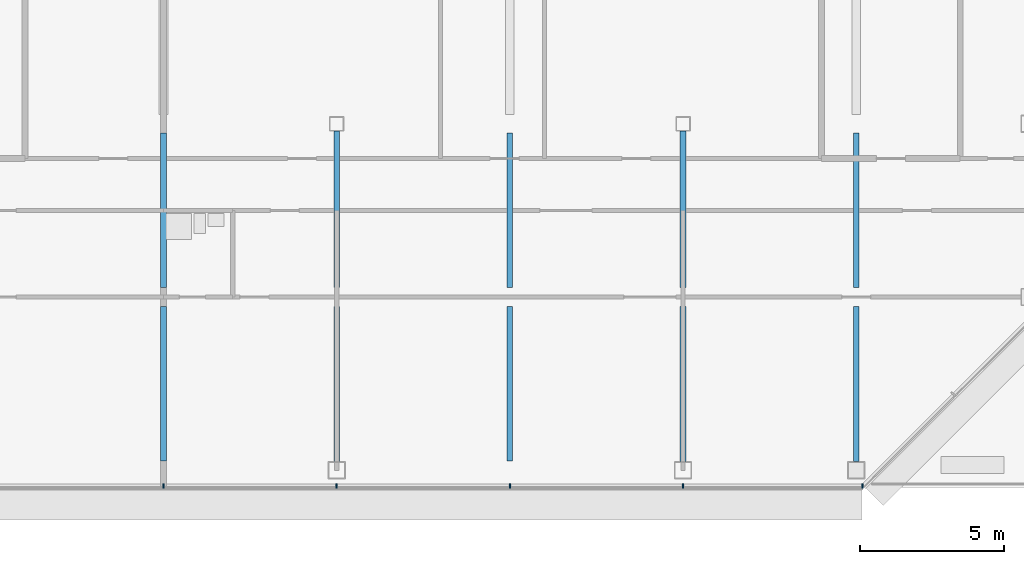
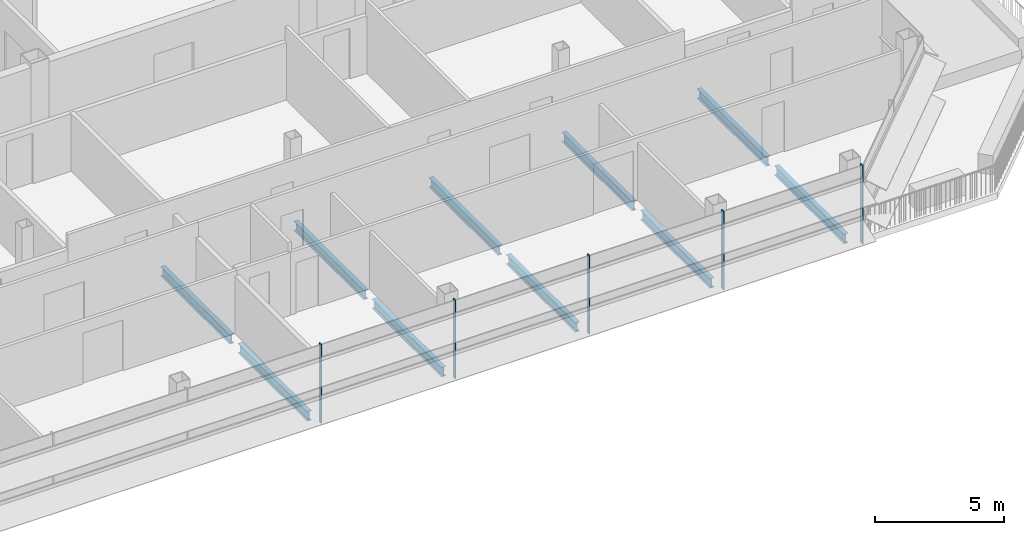
# One storey, part 9 of 28: 10 beams, 5 members, 1 element without a shape of its own.
"""IFC4 building model written with IfcOpenShell, lengths in metres."""

import ifcopenshell
import ifcopenshell.guid

model = None  # the IFC model being written
_history = None  # IfcOwnerHistory: only IFC2X3 demands one
_inside = {}  # id of a spatial element -> (the spatial element, [elements in it])
_under = {}  # id of a project, library or spatial element -> (it, [spatial elements below it])
_declared = {}  # id of a project -> (the project, [libraries it declares])
_typed = {}  # id of a type object -> (the type object, [elements of that type])
_made_of = {}  # id of a material, layer set ... -> (it, [elements and type objects made of it])


def new_model(schema):
    """Start an empty IFC model of exactly this schema.

    Asked for "IFC4X3", IfcOpenShell would pick the latest addendum, in which some entities
    have other attributes; the version numbers below select the first issue.
    IFC2X3 requires an IfcOwnerHistory on every rooted entity: one is made here for all.
    """
    global model, _history
    if schema == "IFC4X3":
        model = ifcopenshell.file(schema_version=(4, 3, 0, 0))
    else:
        model = ifcopenshell.file(schema=schema)
    _inside.clear()
    _under.clear()
    _declared.clear()
    _typed.clear()
    _made_of.clear()
    _history = None
    if model.schema == "IFC2X3":
        org = make("IfcOrganization", Name="unknown")
        user = make(
            "IfcPersonAndOrganization",
            ThePerson=make("IfcPerson", FamilyName="unknown"),
            TheOrganization=org,
        )
        app = make(
            "IfcApplication",
            ApplicationDeveloper=org,
            Version="unknown",
            ApplicationFullName="unknown",
            ApplicationIdentifier="unknown",
        )
        _history = make(
            "IfcOwnerHistory",
            OwningUser=user,
            OwningApplication=app,
            ChangeAction="ADDED",
            CreationDate=0,
        )
    return model


def make(cls, **values):
    """One entity of the class cls with the attributes given. An attribute that is None is left unset."""
    return model.create_entity(
        cls, **{name: value for name, value in values.items() if value is not None}
    )


def rooted(cls, **values):
    """An entity with a GlobalId (a new one), such as an element, a storey or a relation."""
    return make(cls, GlobalId=ifcopenshell.guid.new(), OwnerHistory=_history, **values)


def si_unit(unit_type, name, prefix=None):
    """IfcSIUnit, for example si_unit("LENGTHUNIT", "METRE", prefix="MILLI")."""
    return make("IfcSIUnit", UnitType=unit_type, Prefix=prefix, Name=name)


def assignment(units):
    """IfcUnitAssignment: the units of a project."""
    return None if units is None else make("IfcUnitAssignment", Units=units)


def point(xyz):
    """IfcCartesianPoint."""
    return None if xyz is None else make("IfcCartesianPoint", Coordinates=xyz)


def direction(xyz):
    """IfcDirection."""
    return None if xyz is None else make("IfcDirection", DirectionRatios=xyz)


def frame(location, z_axis=None, x_axis=None):
    """IfcAxis2Placement3D, a coordinate frame: its origin and axes. An axis left out is left unset."""
    return make(
        "IfcAxis2Placement3D",
        Location=point(location),
        Axis=direction(z_axis),
        RefDirection=direction(x_axis),
    )


def frame_2d(location, x_axis=None):
    """IfcAxis2Placement2D, a coordinate frame in the plane: its origin and x axis."""
    return make(
        "IfcAxis2Placement2D", Location=point(location), RefDirection=direction(x_axis)
    )


def origin():
    """The frame at (0, 0, 0) with its axes left unset."""
    return frame((0.0, 0.0, 0.0))


def origin_2d():
    """The frame at (0, 0) in the plane with its x axis left unset."""
    return frame_2d((0.0, 0.0))


def place(relative_to, where):
    """IfcLocalPlacement: puts the frame where relative to a parent placement (None: the world)."""
    return make(
        "IfcLocalPlacement", PlacementRelTo=relative_to, RelativePlacement=where
    )


def context(
    kind, dimensions, precision=None, world=None, true_north=None, identifier=None
):
    """IfcGeometricRepresentationContext, for example the 3D "Model" context."""
    return make(
        "IfcGeometricRepresentationContext",
        ContextIdentifier=identifier,
        ContextType=kind,
        CoordinateSpaceDimension=dimensions,
        Precision=precision,
        WorldCoordinateSystem=world,
        TrueNorth=true_north,
    )


def subcontext(parent, identifier, kind, view, scale=None):
    """IfcGeometricRepresentationSubContext, for example "Body" below "Model"."""
    return make(
        "IfcGeometricRepresentationSubContext",
        ContextIdentifier=identifier,
        ContextType=kind,
        ParentContext=parent,
        TargetScale=scale,
        TargetView=view,
    )


def project(units=None, contexts=None):
    """IfcProject with its units and contexts."""
    return rooted(
        "IfcProject",
        Name="project",
        RepresentationContexts=contexts,
        UnitsInContext=assignment(units),
    )


def spatial(cls, under=None, at=None, **own):
    """A site, building, storey or space (cls), placed at a placement, below another one or the project."""
    s = rooted(cls, ObjectPlacement=at, **own)
    if under is not None:
        _under.setdefault(under.id(), (under, []))[1].append(s)
    return s


def profile(cls, at=None, kind="AREA", **sizes):
    """A parametric profile (cls). Its sizes go by their IFC names, for example OverallWidth=200.0."""
    return make(cls, ProfileType=kind, Position=at, **sizes)


def rectangle(**sizes):
    """IfcRectangleProfileDef."""
    return profile("IfcRectangleProfileDef", **sizes)


def i_section(**sizes):
    """IfcIShapeProfileDef."""
    return profile("IfcIShapeProfileDef", **sizes)


def extrude(swept, where, along, depth):
    """IfcExtrudedAreaSolid: the profile swept, set in the frame where, extruded along a direction by depth."""
    return make(
        "IfcExtrudedAreaSolid",
        SweptArea=swept,
        Position=where,
        ExtrudedDirection=direction(along),
        Depth=depth,
    )


def shape(context_of_items, identifier, shape_type, items):
    """IfcShapeRepresentation: the items that make up one representation, for example the "Body"."""
    return make(
        "IfcShapeRepresentation",
        ContextOfItems=context_of_items,
        RepresentationIdentifier=identifier,
        RepresentationType=shape_type,
        Items=items,
    )


def material(Name=None, Category=None):
    """IfcMaterial."""
    return make("IfcMaterial", Name=Name, Category=Category)


def material_profile(
    of_material, cross_section, Name=None, Category=None, Priority=None
):
    """IfcMaterialProfile: a cross section and its material."""
    return make(
        "IfcMaterialProfile",
        Name=Name,
        Material=of_material,
        Profile=cross_section,
        Priority=Priority,
        Category=Category,
    )


def profile_set(profiles, Name=None, composite=None):
    """IfcMaterialProfileSet."""
    return make(
        "IfcMaterialProfileSet",
        Name=Name,
        MaterialProfiles=profiles,
        CompositeProfile=composite,
    )


def made_of(thing, what):
    """Note that an element or type object is made of a material, layer set ...; save() writes the relation."""
    if what is not None:
        _made_of.setdefault(what.id(), (what, []))[1].append(thing)
    return thing


def type_object(cls, material=None, **own):
    """A type object (cls), such as IfcWallType, which elements share."""
    return made_of(rooted(cls, **own), material)


def element(
    cls,
    number,
    at=None,
    inside=None,
    cuts=None,
    type_object=None,
    material=None,
    context=None,
    identifier="Body",
    shape_type=None,
    held_by="IfcProductDefinitionShape",
    body=None,
    shapes=None,
    **own,
):
    """One element of the class cls, such as IfcWall. Its Tag is "e" and its number.

    at: its placement. inside: the storey or other place that contains it. cuts: it is an
    opening in that element (IfcRelVoidsElement). A single representation is given by context,
    identifier, shape_type and body (its items); several are given by shapes. held_by: the class
    of the entity that holds the representations. save() writes the other relations.
    """
    e = rooted(cls, Tag="e%d" % number, ObjectPlacement=at, **own)
    if body is not None:
        shapes = [shape(context, identifier, shape_type, body)]
    if shapes is not None:
        e.Representation = make(held_by, Representations=shapes)
    if inside is not None:
        _inside.setdefault(inside.id(), (inside, []))[1].append(e)
    if cuts is not None:
        rooted(
            "IfcRelVoidsElement", RelatingBuildingElement=cuts, RelatedOpeningElement=e
        )
    if type_object is not None:
        _typed.setdefault(type_object.id(), (type_object, []))[1].append(e)
    return made_of(e, material)


def aggregate(whole, parts):
    """IfcRelAggregates: a whole, such as a stair, and the parts it consists of."""
    return rooted("IfcRelAggregates", RelatingObject=whole, RelatedObjects=parts)


def save(model, path):
    """Write the relations noted so far, then the file.

    IfcRelAggregates (storeys below a building ...), IfcRelContainedInSpatialStructure (elements
    in a storey), IfcRelDefinesByType, IfcRelAssociatesMaterial and IfcRelDeclares: one each for
    every whole, place, type object, material and project.
    """
    for whole, parts in _under.values():
        aggregate(whole, parts)
    for where, things in _inside.values():
        rooted(
            "IfcRelContainedInSpatialStructure",
            RelatedElements=things,
            RelatingStructure=where,
        )
    for kind, things in _typed.values():
        rooted("IfcRelDefinesByType", RelatedObjects=things, RelatingType=kind)
    for what, things in _made_of.values():
        rooted("IfcRelAssociatesMaterial", RelatedObjects=things, RelatingMaterial=what)
    for by, libraries in _declared.values():
        rooted("IfcRelDeclares", RelatingContext=by, RelatedDefinitions=libraries)
    model.write(path)


model = new_model("IFC4")

# Units and contexts
model_context = context("Model", 3, precision=1e-05, world=origin(), true_north=direction((0.0, 1.0)))
body_context = subcontext(model_context, "Body", "Model", "MODEL_VIEW")
ifc_project = project(units=[si_unit("LENGTHUNIT", "METRE"), si_unit("AREAUNIT", "SQUARE_METRE"), si_unit("VOLUMEUNIT", "CUBIC_METRE"), si_unit("PLANEANGLEUNIT", "RADIAN"), si_unit("MASSUNIT", "GRAM", prefix="KILO")], contexts=[model_context])

# Site, building, storey
site_placement = place(None, origin())
site = spatial("IfcSite", under=ifc_project, at=site_placement, CompositionType="ELEMENT")
building_placement = place(site_placement, origin())
building = spatial("IfcBuilding", under=site, at=building_placement, Name="Sorahane Residences", CompositionType="ELEMENT")
storey_placement = place(building_placement, frame((0.0, 0.0, 290.800048828125)))
storey = spatial("IfcBuildingStorey", under=building, at=storey_placement, Name="L68", CompositionType="ELEMENT", Elevation=290.800048828125)

# Curtain wall, members
ifc_material_1 = material(Name="Dark low-e glass and black anodised aluminium", Category="aluminium")
curtain_wall_type = type_object("IfcCurtainWallType", Name="Curtain wall CW-1 Typical unitised wall", PredefinedType="NOTDEFINED", material=ifc_material_1)
curtain_wall_placement = place(storey_placement, origin())
curtain_wall = element("IfcCurtainWall", 1, at=curtain_wall_placement, inside=storey, type_object=curtain_wall_type, Name="CW-1 curtain wall L68 S1", PredefinedType="NOTDEFINED")
ifc_material_2 = material(Name="Black anodised aluminium", Category="aluminium")
ifc_material_profile_1 = material_profile(ifc_material_2, rectangle(XDim=0.159912109375, YDim=0.050048828125, at=origin_2d()), Name="Curtain wall mullion CW-1 black anodised aluminium 50x160")
ifc_profile_set_1 = profile_set([ifc_material_profile_1], Name="Black anodised aluminium")
member_type = type_object("IfcMemberType", Name="Curtain wall mullion CW-1 black anodised aluminium 50x160", PredefinedType="MULLION", material=ifc_profile_set_1)
member_1_placement = place(storey_placement, frame((18.0, -0.5400390625, -0.300048828125), z_axis=(0.0, 0.0, 1.0), x_axis=(0.0, -1.0, 0.0)))
member_1 = element("IfcMember", 2, at=member_1_placement, type_object=member_type, Name="CW-1 mullion L68 S1.6", PredefinedType="MULLION", context=body_context, shape_type="SweptSolid", body=[
    extrude(rectangle(XDim=0.159912109375, YDim=0.050048828125, at=origin_2d()), origin(), (0.0, 0.0, 1.0), 3.719970703125),
])
member_2_placement = place(storey_placement, frame((24.0, -0.5400390625, -0.300048828125), z_axis=(0.0, 0.0, 1.0), x_axis=(0.0, -1.0, 0.0)))
member_2 = element("IfcMember", 3, at=member_2_placement, type_object=member_type, Name="CW-1 mullion L68 S1.7", PredefinedType="MULLION", context=body_context, shape_type="SweptSolid", body=[
    extrude(rectangle(XDim=0.159912109375, YDim=0.050048828125, at=origin_2d()), origin(), (0.0, 0.0, 1.0), 3.719970703125),
])
member_3_placement = place(storey_placement, frame((30.0, -0.5400390625, -0.300048828125), z_axis=(0.0, 0.0, 1.0), x_axis=(0.0, -1.0, 0.0)))
member_3 = element("IfcMember", 4, at=member_3_placement, type_object=member_type, Name="CW-1 mullion L68 S1.8", PredefinedType="MULLION", context=body_context, shape_type="SweptSolid", body=[
    extrude(rectangle(XDim=0.159912109375, YDim=0.050048828125, at=origin_2d()), origin(), (0.0, 0.0, 1.0), 3.719970703125),
])
member_4_placement = place(storey_placement, frame((36.0, -0.5400390625, -0.300048828125), z_axis=(0.0, 0.0, 1.0), x_axis=(0.0, -1.0, 0.0)))
member_4 = element("IfcMember", 5, at=member_4_placement, type_object=member_type, Name="CW-1 mullion L68 S1.9", PredefinedType="MULLION", context=body_context, shape_type="SweptSolid", body=[
    extrude(rectangle(XDim=0.159912109375, YDim=0.050048828125, at=origin_2d()), origin(), (0.0, 0.0, 1.0), 3.719970703125),
])
member_5_placement = place(storey_placement, frame((42.2236328125, -0.5400390625, -0.300048828125), z_axis=(0.0, 0.0, 1.0), x_axis=(0.0, -1.0, 0.0)))
member_5 = element("IfcMember", 6, at=member_5_placement, type_object=member_type, Name="CW-1 mullion L68 S1.10", PredefinedType="MULLION", context=body_context, shape_type="SweptSolid", body=[
    extrude(rectangle(XDim=0.159912109375, YDim=0.050048828125, at=origin_2d()), origin(), (0.0, 0.0, 1.0), 3.719970703125),
])
aggregate(curtain_wall, [member_1, member_2, member_3, member_4, member_5])

# Beams
ifc_material_3 = material(Name="Steel Q355B", Category="steel")
ifc_material_profile_2 = material_profile(ifc_material_3, i_section(OverallWidth=0.199951171875, OverallDepth=0.449951171875, WebThickness=0.009033203125, FlangeThickness=0.013916015625, FilletRadius=0.02001953125, at=origin_2d()), Name="HN 450x200x9x14")
ifc_profile_set_2 = profile_set([ifc_material_profile_2], Name="Steel Q355B")
beam_type = type_object("IfcBeamType", Name="Steel floor beam HN 450x200x9x14 Q355B", PredefinedType="BEAM", material=ifc_profile_set_2)
for number, where, z_axis, x_axis, name in (
    (7, (18.0, 0.324951171875, -0.525146484375), (0.0, 1.0, 0.0), (-1.0, 0.0, 0.0), "Beam L68 025"),
    (8, (18.0, 6.324951171875, -0.525146484375), (0.0, 1.0, 0.0), (-1.0, 0.0, 0.0), "Beam L68 026"),
):
    element("IfcBeam", number, at=place(storey_placement, frame(where, z_axis=z_axis, x_axis=x_axis)), inside=storey, type_object=beam_type, Name=name, PredefinedType="BEAM", context=body_context, shape_type="SweptSolid", body=[
        extrude(i_section(OverallWidth=0.199951171875, OverallDepth=0.449951171875, WebThickness=0.009033203125, FlangeThickness=0.013916015625, FilletRadius=0.02001953125, at=origin_2d()), origin(), (0.0, 0.0, 1.0), 5.35009765625),
    ])
beam_1_placement = place(storey_placement, frame((24.0, 0.300048828125, -0.525146484375), z_axis=(0.0, 1.0, 0.0), x_axis=(-1.0, 0.0, 0.0)))
element("IfcBeam", 9, at=beam_1_placement, inside=storey, type_object=beam_type, Name="Beam L68 032", PredefinedType="BEAM", context=body_context, shape_type="SweptSolid", body=[
    extrude(i_section(OverallWidth=0.199951171875, OverallDepth=0.449951171875, WebThickness=0.009033203125, FlangeThickness=0.013916015625, FilletRadius=0.02001953125, at=origin_2d()), origin(), (0.0, 0.0, 1.0), 5.375),
])
beam_2_placement = place(storey_placement, frame((24.0, 6.324951171875, -0.525146484375), z_axis=(0.0, 1.0, 0.0), x_axis=(-1.0, 0.0, 0.0)))
element("IfcBeam", 10, at=beam_2_placement, inside=storey, type_object=beam_type, Name="Beam L68 033", PredefinedType="BEAM", context=body_context, shape_type="SweptSolid", body=[
    extrude(i_section(OverallWidth=0.199951171875, OverallDepth=0.449951171875, WebThickness=0.009033203125, FlangeThickness=0.013916015625, FilletRadius=0.02001953125, at=origin_2d()), origin(), (0.0, 0.0, 1.0), 5.425048828125),
])
for number, where, z_axis, x_axis, name in (
    (11, (30.0, 0.324951171875, -0.525146484375), (0.0, 1.0, 0.0), (-1.0, 0.0, 0.0), "Beam L68 035"),
    (12, (30.0, 6.324951171875, -0.525146484375), (0.0, 1.0, 0.0), (-1.0, 0.0, 0.0), "Beam L68 036"),
):
    element("IfcBeam", number, at=place(storey_placement, frame(where, z_axis=z_axis, x_axis=x_axis)), inside=storey, type_object=beam_type, Name=name, PredefinedType="BEAM", context=body_context, shape_type="SweptSolid", body=[
        extrude(i_section(OverallWidth=0.199951171875, OverallDepth=0.449951171875, WebThickness=0.009033203125, FlangeThickness=0.013916015625, FilletRadius=0.02001953125, at=origin_2d()), origin(), (0.0, 0.0, 1.0), 5.35009765625),
    ])
beam_3_placement = place(storey_placement, frame((36.0, 0.300048828125, -0.525146484375), z_axis=(0.0, 1.0, 0.0), x_axis=(-1.0, 0.0, 0.0)))
element("IfcBeam", 13, at=beam_3_placement, inside=storey, type_object=beam_type, Name="Beam L68 042", PredefinedType="BEAM", context=body_context, shape_type="SweptSolid", body=[
    extrude(i_section(OverallWidth=0.199951171875, OverallDepth=0.449951171875, WebThickness=0.009033203125, FlangeThickness=0.013916015625, FilletRadius=0.02001953125, at=origin_2d()), origin(), (0.0, 0.0, 1.0), 5.375),
])
beam_4_placement = place(storey_placement, frame((36.0, 6.324951171875, -0.525146484375), z_axis=(0.0, 1.0, 0.0), x_axis=(-1.0, 0.0, 0.0)))
element("IfcBeam", 14, at=beam_4_placement, inside=storey, type_object=beam_type, Name="Beam L68 043", PredefinedType="BEAM", context=body_context, shape_type="SweptSolid", body=[
    extrude(i_section(OverallWidth=0.199951171875, OverallDepth=0.449951171875, WebThickness=0.009033203125, FlangeThickness=0.013916015625, FilletRadius=0.02001953125, at=origin_2d()), origin(), (0.0, 0.0, 1.0), 5.425048828125),
])
beam_5_placement = place(storey_placement, frame((42.0, 0.300048828125, -0.525146484375), z_axis=(0.0, 1.0, 0.0), x_axis=(-1.0, 0.0, 0.0)))
element("IfcBeam", 15, at=beam_5_placement, inside=storey, type_object=beam_type, Name="Beam L68 045", PredefinedType="BEAM", context=body_context, shape_type="SweptSolid", body=[
    extrude(i_section(OverallWidth=0.199951171875, OverallDepth=0.449951171875, WebThickness=0.009033203125, FlangeThickness=0.013916015625, FilletRadius=0.02001953125, at=origin_2d()), origin(), (0.0, 0.0, 1.0), 5.375),
])
beam_6_placement = place(storey_placement, frame((42.0, 6.324951171875, -0.525146484375), z_axis=(0.0, 1.0, 0.0), x_axis=(-1.0, 0.0, 0.0)))
element("IfcBeam", 16, at=beam_6_placement, inside=storey, type_object=beam_type, Name="Beam L68 046", PredefinedType="BEAM", context=body_context, shape_type="SweptSolid", body=[
    extrude(i_section(OverallWidth=0.199951171875, OverallDepth=0.449951171875, WebThickness=0.009033203125, FlangeThickness=0.013916015625, FilletRadius=0.02001953125, at=origin_2d()), origin(), (0.0, 0.0, 1.0), 5.35009765625),
])

save(model, "model.ifc")
